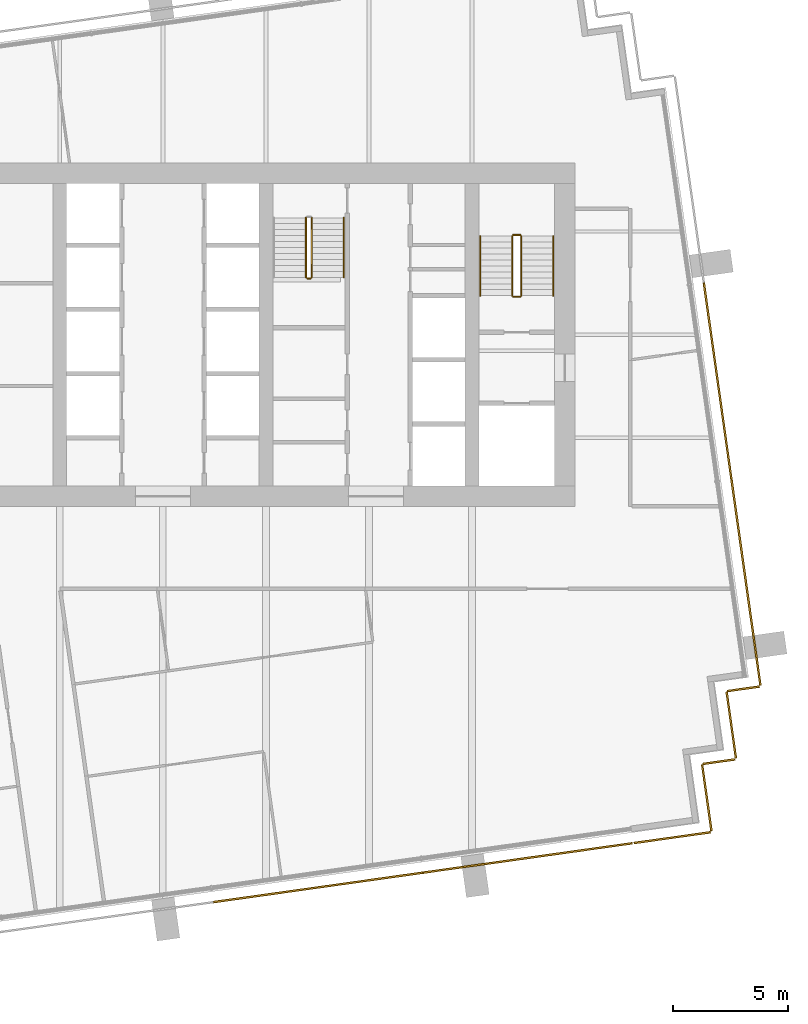
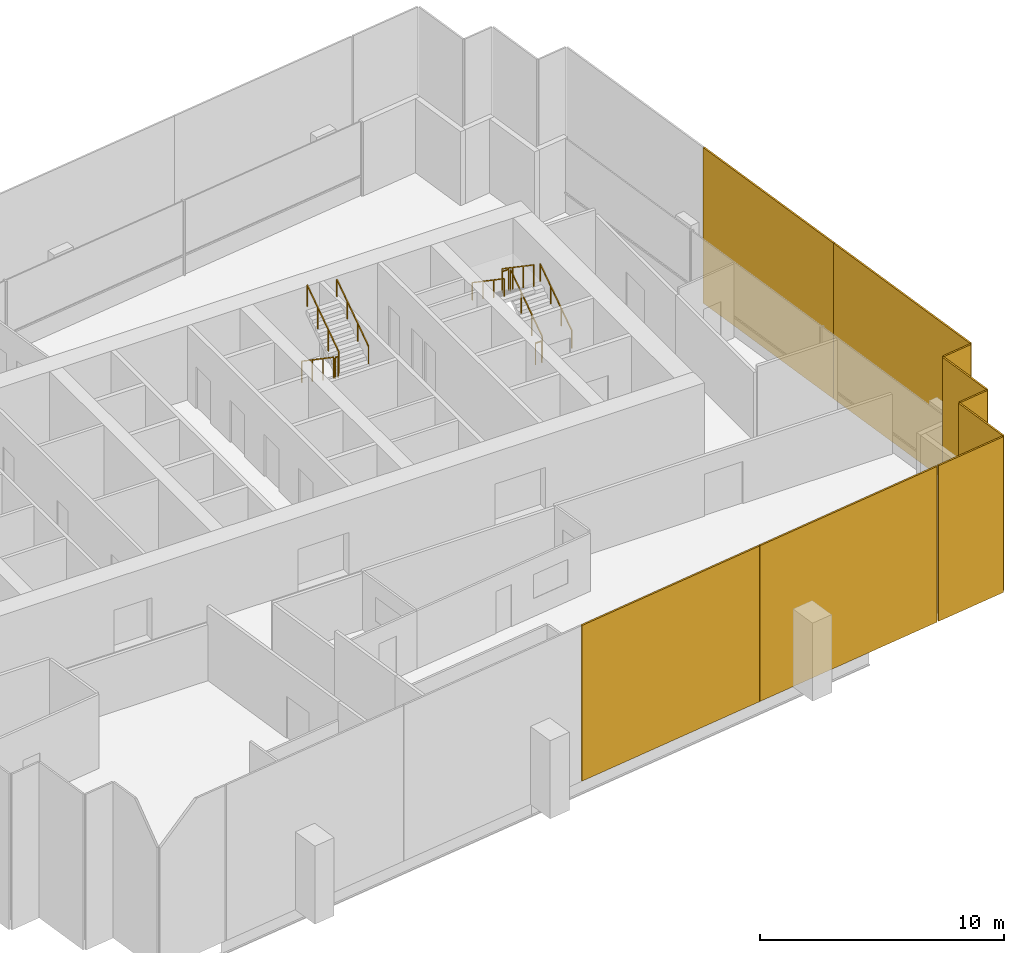
# One storey, part 13 of 15: 10 railings, 9 coverings.
"""IFC4 building model written with IfcOpenShell, lengths in metres."""

from ifc_helpers import new_model, si_unit, direction, frame, origin, origin_2d, place, context, subcontext, project, spatial, rectangle, extrude, material, layer, layer_set, type_object, element, save


model = new_model("IFC4")

# Units and contexts
model_context = context("Model", 3, precision=1e-05, world=origin(), true_north=direction((0.0, 1.0)))
body_context = subcontext(model_context, "Body", "Model", "MODEL_VIEW")
ifc_project = project(units=[si_unit("LENGTHUNIT", "METRE"), si_unit("AREAUNIT", "SQUARE_METRE"), si_unit("VOLUMEUNIT", "CUBIC_METRE"), si_unit("PLANEANGLEUNIT", "RADIAN"), si_unit("MASSUNIT", "GRAM", prefix="KILO")], contexts=[model_context])

# Site, building, storey
site_placement = place(None, origin())
site = spatial("IfcSite", under=ifc_project, at=site_placement, CompositionType="ELEMENT")
building_placement = place(site_placement, origin())
building = spatial("IfcBuilding", under=site, at=building_placement, Name="Rattan Terrace Tower", CompositionType="ELEMENT")
storey_placement = place(building_placement, frame((0.0, 0.0, 255.10009765625)))
storey = spatial("IfcBuildingStorey", under=building, at=storey_placement, Name="L58", CompositionType="ELEMENT", Elevation=255.10009765625)

# Railings
ifc_material_1 = material(Name="Powder-coated steel guard", Category="steel")
railing_type_1 = type_object("IfcRailingType", Name="Core stair guard", PredefinedType="GUARDRAIL", material=ifc_material_1)
railing_1_placement = place(storey_placement, frame((15.64990234375, 1.699951171875, 0.17724609375)))
element("IfcRailing", 1, at=railing_1_placement, inside=storey, type_object=railing_type_1, Name="L58 S2 stair guard 1", PredefinedType="GUARDRAIL", context=body_context, shape_type="SweptSolid", body=[
    extrude(rectangle(XDim=0.048095703125, YDim=0.048095703125, at=origin_2d()), frame((0.0, 0.0, 1.076171875), z_axis=(0.0, 0.826240473404, 0.563317565952), x_axis=(-1.0, 0.0, 0.0)), (0.0, 0.0, 1.0), 3.14697265625),
    extrude(rectangle(XDim=0.0419921875, YDim=0.0419921875, at=origin_2d()), origin(), (0.0, 0.0, 1.0), 1.052001953125),
    extrude(rectangle(XDim=0.0419921875, YDim=0.0419921875, at=origin_2d()), frame((0.0, 0.86669921875, 0.5908203125)), (0.0, 0.0, 1.0), 1.052001953125),
    extrude(rectangle(XDim=0.0419921875, YDim=0.0419921875, at=origin_2d()), frame((0.0, 1.7333984375, 1.181884765625)), (0.0, 0.0, 1.0), 1.052001953125),
    extrude(rectangle(XDim=0.0419921875, YDim=0.0419921875, at=origin_2d()), frame((0.0, 2.60009765625, 1.772705078125)), (0.0, 0.0, 1.0), 1.052001953125),
])
railing_2_placement = place(storey_placement, frame((15.60009765625, 4.35009765625, 1.949951171875)))
element("IfcRailing", 2, at=railing_2_placement, inside=storey, type_object=railing_type_1, Name="L58 S2 stair guard 2", PredefinedType="GUARDRAIL", context=body_context, shape_type="SweptSolid", body=[
    extrude(rectangle(XDim=0.048095703125, YDim=0.048095703125, at=origin_2d()), frame((0.0, 0.0, 1.076171875), z_axis=(-1.0, 0.0, 0.0), x_axis=(0.0, -1.0, 0.0)), (0.0, 0.0, 1.0), 0.300048828125),
    extrude(rectangle(XDim=0.0419921875, YDim=0.0419921875, at=origin_2d()), origin(), (0.0, 0.0, 1.0), 1.052001953125),
    extrude(rectangle(XDim=0.0419921875, YDim=0.0419921875, at=origin_2d()), frame((-0.300048828125, 0.0, 0.0)), (0.0, 0.0, 1.0), 1.052001953125),
])
railing_3_placement = place(storey_placement, frame((15.25, 4.300048828125, 2.127197265625)))
element("IfcRailing", 3, at=railing_3_placement, inside=storey, type_object=railing_type_1, Name="L58 S2 stair guard 3", PredefinedType="GUARDRAIL", context=body_context, shape_type="SweptSolid", body=[
    extrude(rectangle(XDim=0.048095703125, YDim=0.048095703125, at=origin_2d()), frame((0.0, 0.0, 1.076171875), z_axis=(0.0, -0.826240473404, 0.563317565952), x_axis=(1.0, 0.0, 0.0)), (0.0, 0.0, 1.0), 3.14697265625),
    extrude(rectangle(XDim=0.0419921875, YDim=0.0419921875, at=origin_2d()), origin(), (0.0, 0.0, 1.0), 1.052001953125),
    extrude(rectangle(XDim=0.0419921875, YDim=0.0419921875, at=origin_2d()), frame((0.0, -0.86669921875, 0.5908203125)), (0.0, 0.0, 1.0), 1.052001953125),
    extrude(rectangle(XDim=0.0419921875, YDim=0.0419921875, at=origin_2d()), frame((0.0, -1.7333984375, 1.181884765625)), (0.0, 0.0, 1.0), 1.052001953125),
    extrude(rectangle(XDim=0.0419921875, YDim=0.0419921875, at=origin_2d()), frame((0.0, -2.60009765625, 1.772705078125)), (0.0, 0.0, 1.0), 1.052001953125),
])
railing_4_placement = place(storey_placement, frame((15.60009765625, 1.64990234375, 0.0)))
element("IfcRailing", 4, at=railing_4_placement, inside=storey, type_object=railing_type_1, Name="L58 S2 stair guard 4", PredefinedType="GUARDRAIL", context=body_context, shape_type="SweptSolid", body=[
    extrude(rectangle(XDim=0.048095703125, YDim=0.048095703125, at=origin_2d()), frame((0.0, 0.0, 1.076171875), z_axis=(-1.0, 0.0, 0.0), x_axis=(0.0, -1.0, 0.0)), (0.0, 0.0, 1.0), 0.300048828125),
    extrude(rectangle(XDim=0.0419921875, YDim=0.0419921875, at=origin_2d()), origin(), (0.0, 0.0, 1.0), 1.052001953125),
    extrude(rectangle(XDim=0.0419921875, YDim=0.0419921875, at=origin_2d()), frame((-0.300048828125, 0.0, 0.0)), (0.0, 0.0, 1.0), 1.052001953125),
])
railing_5_placement = place(storey_placement, frame((6.25, 5.10009765625, 0.17724609375)))
element("IfcRailing", 5, at=railing_5_placement, inside=storey, type_object=railing_type_1, Name="L58 S3 stair guard 1", PredefinedType="GUARDRAIL", context=body_context, shape_type="SweptSolid", body=[
    extrude(rectangle(XDim=0.048095703125, YDim=0.048095703125, at=origin_2d()), frame((0.0, 0.0, 1.076171875), z_axis=(0.0, -0.826240473404, 0.563317565952), x_axis=(1.0, 0.0, 0.0)), (0.0, 0.0, 1.0), 3.14697265625),
    extrude(rectangle(XDim=0.0419921875, YDim=0.0419921875, at=origin_2d()), origin(), (0.0, 0.0, 1.0), 1.052001953125),
    extrude(rectangle(XDim=0.0419921875, YDim=0.0419921875, at=origin_2d()), frame((0.0, -0.86669921875, 0.5908203125)), (0.0, 0.0, 1.0), 1.052001953125),
    extrude(rectangle(XDim=0.0419921875, YDim=0.0419921875, at=origin_2d()), frame((0.0, -1.7333984375, 1.181884765625)), (0.0, 0.0, 1.0), 1.052001953125),
    extrude(rectangle(XDim=0.0419921875, YDim=0.0419921875, at=origin_2d()), frame((0.0, -2.60009765625, 1.772705078125)), (0.0, 0.0, 1.0), 1.052001953125),
])
railing_6_placement = place(storey_placement, frame((6.300048828125, 2.449951171875, 1.949951171875)))
element("IfcRailing", 6, at=railing_6_placement, inside=storey, type_object=railing_type_1, Name="L58 S3 stair guard 2", PredefinedType="GUARDRAIL", context=body_context, shape_type="SweptSolid", body=[
    extrude(rectangle(XDim=0.048095703125, YDim=0.048095703125, at=origin_2d()), frame((0.0, 0.0, 1.076171875), z_axis=(1.0, 0.0, 0.0), x_axis=(0.0, 1.0, 0.0)), (0.0, 0.0, 1.0), 0.14990234375),
    extrude(rectangle(XDim=0.0419921875, YDim=0.0419921875, at=origin_2d()), origin(), (0.0, 0.0, 1.0), 1.052001953125),
    extrude(rectangle(XDim=0.0419921875, YDim=0.0419921875, at=origin_2d()), frame((0.14990234375, 0.0, 0.0)), (0.0, 0.0, 1.0), 1.052001953125),
])
railing_7_placement = place(storey_placement, frame((6.5, 2.5, 2.127197265625)))
element("IfcRailing", 7, at=railing_7_placement, inside=storey, type_object=railing_type_1, Name="L58 S3 stair guard 3", PredefinedType="GUARDRAIL", context=body_context, shape_type="SweptSolid", body=[
    extrude(rectangle(XDim=0.048095703125, YDim=0.048095703125, at=origin_2d()), frame((0.0, 0.0, 1.076171875), z_axis=(0.0, 0.826240473404, 0.563317565952), x_axis=(-1.0, 0.0, 0.0)), (0.0, 0.0, 1.0), 3.14697265625),
    extrude(rectangle(XDim=0.0419921875, YDim=0.0419921875, at=origin_2d()), origin(), (0.0, 0.0, 1.0), 1.052001953125),
    extrude(rectangle(XDim=0.0419921875, YDim=0.0419921875, at=origin_2d()), frame((0.0, 0.86669921875, 0.5908203125)), (0.0, 0.0, 1.0), 1.052001953125),
    extrude(rectangle(XDim=0.0419921875, YDim=0.0419921875, at=origin_2d()), frame((0.0, 1.7333984375, 1.181884765625)), (0.0, 0.0, 1.0), 1.052001953125),
    extrude(rectangle(XDim=0.0419921875, YDim=0.0419921875, at=origin_2d()), frame((0.0, 2.60009765625, 1.772705078125)), (0.0, 0.0, 1.0), 1.052001953125),
])
ifc_material_2 = material(Name="Powder-coated steel handrail", Category="steel")
railing_type_2 = type_object("IfcRailingType", Name="Core stair handrail", PredefinedType="HANDRAIL", material=ifc_material_2)
railing_8_placement = place(storey_placement, frame((17.050048828125, 1.699951171875, 0.17724609375)))
element("IfcRailing", 8, at=railing_8_placement, inside=storey, type_object=railing_type_2, Name="L58 S2 stair handrail 1", PredefinedType="HANDRAIL", context=body_context, shape_type="SweptSolid", body=[
    extrude(rectangle(XDim=0.048095703125, YDim=0.048095703125, at=origin_2d()), frame((0.0, 0.0, 0.8759765625), z_axis=(0.0, 0.826240473404, 0.563317565952), x_axis=(-1.0, 0.0, 0.0)), (0.0, 0.0, 1.0), 3.14697265625),
    extrude(rectangle(XDim=0.0419921875, YDim=0.0419921875, at=origin_2d()), origin(), (0.0, 0.0, 1.0), 0.851806640625),
    extrude(rectangle(XDim=0.0419921875, YDim=0.0419921875, at=origin_2d()), frame((0.0, 0.86669921875, 0.5908203125)), (0.0, 0.0, 1.0), 0.851806640625),
    extrude(rectangle(XDim=0.0419921875, YDim=0.0419921875, at=origin_2d()), frame((0.0, 1.7333984375, 1.181884765625)), (0.0, 0.0, 1.0), 0.851806640625),
    extrude(rectangle(XDim=0.0419921875, YDim=0.0419921875, at=origin_2d()), frame((0.0, 2.60009765625, 1.772705078125)), (0.0, 0.0, 1.0), 0.851806640625),
])
railing_9_placement = place(storey_placement, frame((13.85009765625, 4.300048828125, 2.127197265625)))
element("IfcRailing", 9, at=railing_9_placement, inside=storey, type_object=railing_type_2, Name="L58 S2 stair handrail 2", PredefinedType="HANDRAIL", context=body_context, shape_type="SweptSolid", body=[
    extrude(rectangle(XDim=0.048095703125, YDim=0.048095703125, at=origin_2d()), frame((0.0, 0.0, 0.8759765625), z_axis=(0.0, -0.826240473404, 0.563317565952), x_axis=(1.0, 0.0, 0.0)), (0.0, 0.0, 1.0), 3.14697265625),
    extrude(rectangle(XDim=0.0419921875, YDim=0.0419921875, at=origin_2d()), origin(), (0.0, 0.0, 1.0), 0.851806640625),
    extrude(rectangle(XDim=0.0419921875, YDim=0.0419921875, at=origin_2d()), frame((0.0, -0.86669921875, 0.5908203125)), (0.0, 0.0, 1.0), 0.851806640625),
    extrude(rectangle(XDim=0.0419921875, YDim=0.0419921875, at=origin_2d()), frame((0.0, -1.7333984375, 1.181884765625)), (0.0, 0.0, 1.0), 0.851806640625),
    extrude(rectangle(XDim=0.0419921875, YDim=0.0419921875, at=origin_2d()), frame((0.0, -2.60009765625, 1.772705078125)), (0.0, 0.0, 1.0), 0.851806640625),
])
railing_10_placement = place(storey_placement, frame((7.89990234375, 2.5, 2.127197265625)))
element("IfcRailing", 10, at=railing_10_placement, inside=storey, type_object=railing_type_2, Name="L58 S3 stair handrail 2", PredefinedType="HANDRAIL", context=body_context, shape_type="SweptSolid", body=[
    extrude(rectangle(XDim=0.048095703125, YDim=0.048095703125, at=origin_2d()), frame((0.0, 0.0, 0.8759765625), z_axis=(0.0, 0.826240473404, 0.563317565952), x_axis=(-1.0, 0.0, 0.0)), (0.0, 0.0, 1.0), 3.14697265625),
    extrude(rectangle(XDim=0.0419921875, YDim=0.0419921875, at=origin_2d()), origin(), (0.0, 0.0, 1.0), 0.851806640625),
    extrude(rectangle(XDim=0.0419921875, YDim=0.0419921875, at=origin_2d()), frame((0.0, 0.86669921875, 0.5908203125)), (0.0, 0.0, 1.0), 0.851806640625),
    extrude(rectangle(XDim=0.0419921875, YDim=0.0419921875, at=origin_2d()), frame((0.0, 1.7333984375, 1.181884765625)), (0.0, 0.0, 1.0), 0.851806640625),
    extrude(rectangle(XDim=0.0419921875, YDim=0.0419921875, at=origin_2d()), frame((0.0, 2.60009765625, 1.772705078125)), (0.0, 0.0, 1.0), 0.851806640625),
])

# Coverings
ifc_material_3 = material(Name="Perforated terracotta", Category="masonry")
ifc_layer = layer(ifc_material_3, 0.080078125)
ifc_layer_set = layer_set([ifc_layer], Name="Facade Terracotta Screen Panel HZ")
covering_type = type_object("IfcCoveringType", Name="Facade Terracotta Screen Panel HZ", PredefinedType="CLADDING", material=ifc_layer_set)
covering_1_placement = place(storey_placement, frame((22.236328125, -21.955810546875, -0.18994140625), z_axis=(0.0, 0.0, 1.0), x_axis=(0.990293172258, 0.138994363123, 0.0)))
element("IfcCovering", 11, at=covering_1_placement, inside=storey, type_object=covering_type, Name="OUTER SKIN panel L58-1", PredefinedType="CLADDING", context=body_context, shape_type="SweptSolid", body=[
    extrude(rectangle(XDim=3.3701171875, YDim=0.080078125, at=origin_2d()), origin(), (0.0, 0.0, 1.0), 7.780029296875),
])
covering_2_placement = place(storey_placement, frame((23.74462890625, -20.218994140625, -0.18994140625), z_axis=(0.0, 0.0, 1.0), x_axis=(-0.138994363123, 0.990293172258, 0.0)))
element("IfcCovering", 12, at=covering_2_placement, inside=storey, type_object=covering_type, Name="OUTER SKIN panel L58-2", PredefinedType="CLADDING", context=body_context, shape_type="SweptSolid", body=[
    extrude(rectangle(XDim=2.92041015625, YDim=0.080078125, at=origin_2d()), origin(), (0.0, 0.0, 1.0), 7.780029296875),
])
covering_3_placement = place(storey_placement, frame((24.27001953125, -18.640380859375, -0.18994140625), z_axis=(0.0, 0.0, 1.0), x_axis=(0.990240767803, 0.139367219175, 0.0)))
element("IfcCovering", 13, at=covering_3_placement, inside=storey, type_object=covering_type, Name="OUTER SKIN panel L58-3", PredefinedType="CLADDING", context=body_context, shape_type="SweptSolid", body=[
    extrude(rectangle(XDim=1.419921875, YDim=0.080078125, at=origin_2d()), origin(), (0.0, 0.0, 1.0), 7.780029296875),
])
covering_4_placement = place(storey_placement, frame((24.812255859375, -17.03955078125, -0.18994140625), z_axis=(0.0, 0.0, 1.0), x_axis=(-0.139367219175, 0.990240767803, 0.0)))
element("IfcCovering", 14, at=covering_4_placement, inside=storey, type_object=covering_type, Name="OUTER SKIN panel L58-4", PredefinedType="CLADDING", context=body_context, shape_type="SweptSolid", body=[
    extrude(rectangle(XDim=2.919189453125, YDim=0.080078125, at=origin_2d()), origin(), (0.0, 0.0, 1.0), 7.780029296875),
])
covering_5_placement = place(storey_placement, frame((25.337646484375, -15.46142578125, -0.18994140625), z_axis=(0.0, 0.0, 1.0), x_axis=(0.99025370695, 0.139275252184, 0.0)))
element("IfcCovering", 15, at=covering_5_placement, inside=storey, type_object=covering_type, Name="OUTER SKIN panel L58-5", PredefinedType="CLADDING", context=body_context, shape_type="SweptSolid", body=[
    extrude(rectangle(XDim=1.420654296875, YDim=0.080078125, at=origin_2d()), origin(), (0.0, 0.0, 1.0), 7.780029296875),
])
covering_6_placement = place(storey_placement, frame((25.45263671875, -10.816650390625, -0.18994140625), z_axis=(0.0, 0.0, 1.0), x_axis=(-0.139191775431, 0.990265444036, 0.0)))
element("IfcCovering", 16, at=covering_6_placement, inside=storey, type_object=covering_type, Name="OUTER SKIN panel L58-6", PredefinedType="CLADDING", context=body_context, shape_type="SweptSolid", body=[
    extrude(rectangle(XDim=9.06689453125, YDim=0.080078125, at=origin_2d()), origin(), (0.0, 0.0, 1.0), 7.780029296875),
])
covering_7_placement = place(storey_placement, frame((24.217041015625, -2.026123046875, -0.18994140625), z_axis=(0.0, 0.0, 1.0), x_axis=(-0.139191775431, 0.990265444036, 0.0)))
element("IfcCovering", 17, at=covering_7_placement, inside=storey, type_object=covering_type, Name="OUTER SKIN panel L58-7", PredefinedType="CLADDING", context=body_context, shape_type="SweptSolid", body=[
    extrude(rectangle(XDim=8.64697265625, YDim=0.080078125, at=origin_2d()), origin(), (0.0, 0.0, 1.0), 7.780029296875),
])
covering_8_placement = place(storey_placement, frame((6.785400390625, -24.127197265625, -0.18994140625), z_axis=(0.0, 0.0, 1.0), x_axis=(0.990265894013, 0.139188574079, 0.0)))
element("IfcCovering", 18, at=covering_8_placement, inside=storey, type_object=covering_type, Name="OUTER SKIN panel L58-33", PredefinedType="CLADDING", context=body_context, shape_type="SweptSolid", body=[
    extrude(rectangle(XDim=9.22900390625, YDim=0.080078125, at=origin_2d()), origin(), (0.0, 0.0, 1.0), 7.780029296875),
])
covering_9_placement = place(storey_placement, frame((15.931640625, -22.841552734375, -0.18994140625), z_axis=(0.0, 0.0, 1.0), x_axis=(0.990265894013, 0.139188574079, 0.0)))
element("IfcCovering", 19, at=covering_9_placement, inside=storey, type_object=covering_type, Name="OUTER SKIN panel L58-34", PredefinedType="CLADDING", context=body_context, shape_type="SweptSolid", body=[
    extrude(rectangle(XDim=9.203125, YDim=0.080078125, at=origin_2d()), origin(), (0.0, 0.0, 1.0), 7.780029296875),
])

save(model, "model.ifc")
